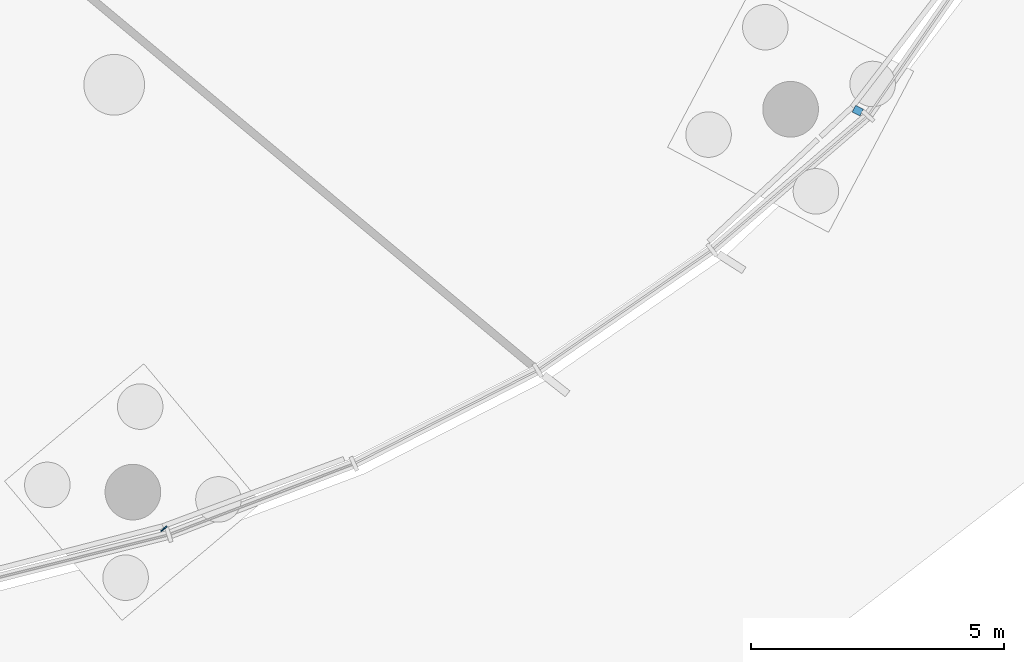
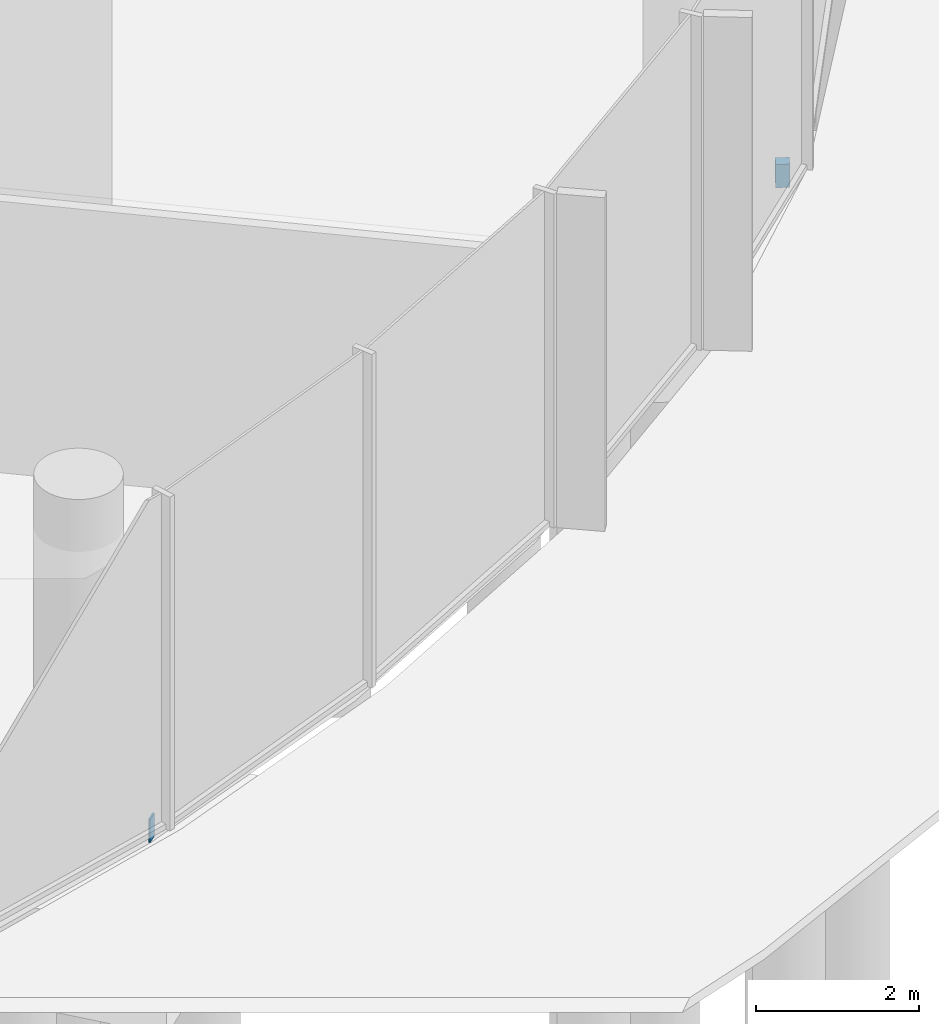
# One storey, part 22 of 29: 2 discrete accessories.
"""IFC4 building model written with IfcOpenShell, lengths in metres."""

from ifc_helpers import new_model, si_unit, direction, frame, origin, origin_2d, place, context, subcontext, project, spatial, rectangle, extrude, material, type_object, element, save


model = new_model("IFC4")

# Units and contexts
model_context = context("Model", 3, precision=1e-05, world=origin(), true_north=direction((0.0, 1.0)))
body_context = subcontext(model_context, "Body", "Model", "MODEL_VIEW")
ifc_project = project(units=[si_unit("LENGTHUNIT", "METRE"), si_unit("AREAUNIT", "SQUARE_METRE"), si_unit("VOLUMEUNIT", "CUBIC_METRE"), si_unit("PLANEANGLEUNIT", "RADIAN"), si_unit("MASSUNIT", "GRAM", prefix="KILO")], contexts=[model_context])

# Site, building, storey
site_placement = place(None, origin())
site = spatial("IfcSite", under=ifc_project, at=site_placement, CompositionType="ELEMENT")
building_placement = place(site_placement, origin())
building = spatial("IfcBuilding", under=site, at=building_placement, Name="Ghaith Harvest Tower", CompositionType="ELEMENT")
storey_placement = place(building_placement, origin())
storey = spatial("IfcBuildingStorey", under=building, at=storey_placement, Name="L00", CompositionType="ELEMENT", Elevation=0.0)

# Discrete accessories
ifc_material_1 = material(Name="Stainless steel grade 1.4401", Category="steel")
discrete_accessory_type_1 = type_object("IfcDiscreteAccessoryType", Name="CURTAIN WALL BRACKET 175", PredefinedType="BRACKET", material=ifc_material_1)
discrete_accessory_1_placement = place(storey_placement, frame((36.29736328125, -18.51220703125, -0.25), z_axis=(0.0, 0.0, 1.0), x_axis=(0.890830752177, -0.454335306767, 0.0)))
element("IfcDiscreteAccessory", 1, at=discrete_accessory_1_placement, inside=storey, type_object=discrete_accessory_type_1, Name="CW-P bracket 2 bay 19 L00", PredefinedType="BRACKET", context=body_context, shape_type="SweptSolid", body=[
    extrude(rectangle(XDim=0.175048828125, YDim=0.14990234375, at=origin_2d()), origin(), (0.0, 0.0, 1.0), 0.35009765625),
])
ifc_material_2 = material(Name="Stainless steel grade 1.4401", Category="steel")
discrete_accessory_type_2 = type_object("IfcDiscreteAccessoryType", Name="CURTAIN WALL BRACKET 25", PredefinedType="BRACKET", material=ifc_material_2)
discrete_accessory_2_placement = place(storey_placement, frame((22.58154296875, -26.778564453125, -0.25), z_axis=(0.0, 0.0, 1.0), x_axis=(0.644657240069, -0.764471741025, 0.0)))
element("IfcDiscreteAccessory", 2, at=discrete_accessory_2_placement, inside=storey, type_object=discrete_accessory_type_2, Name="CW-P bracket 1 bay 18 L00", PredefinedType="BRACKET", context=body_context, shape_type="SweptSolid", body=[
    extrude(rectangle(XDim=0.02490234375, YDim=0.14990234375, at=origin_2d()), origin(), (0.0, 0.0, 1.0), 0.35009765625),
])

save(model, "model.ifc")
